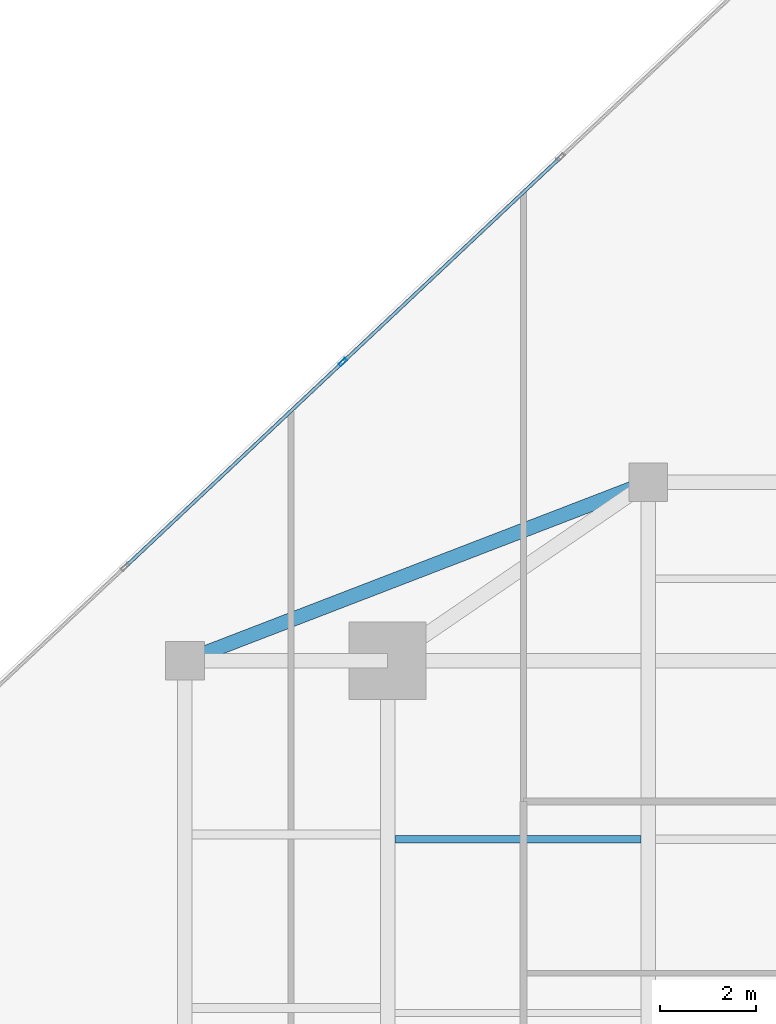
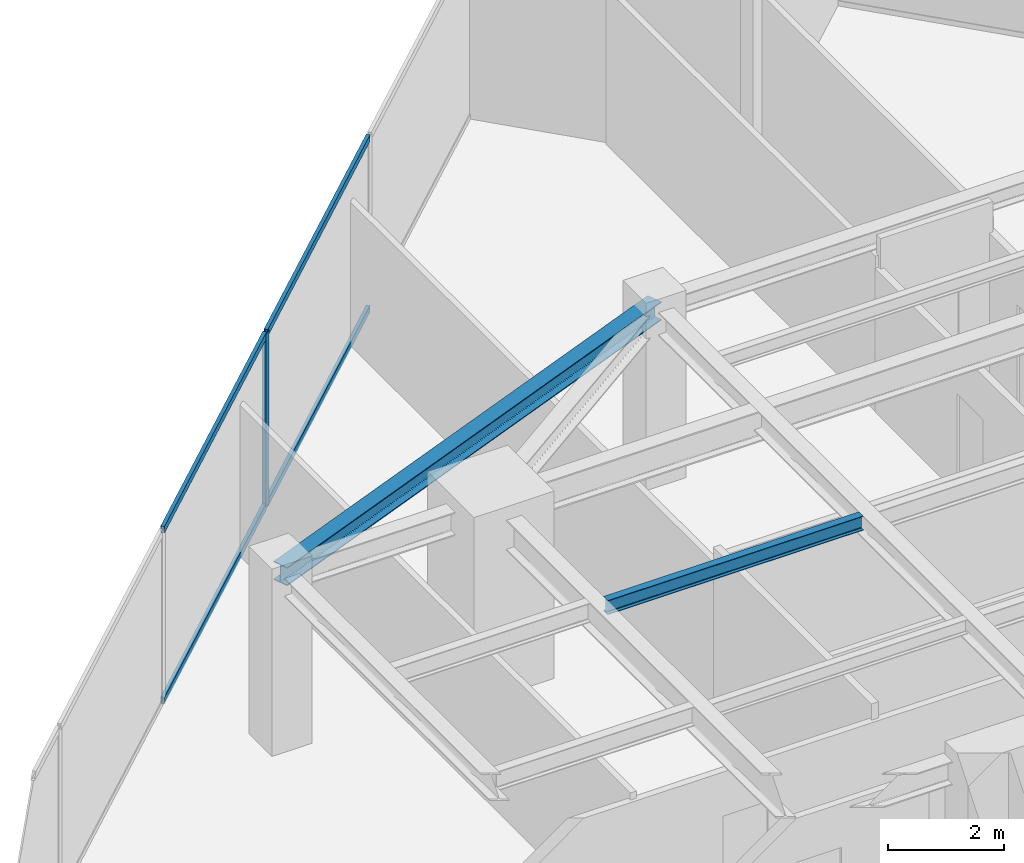
# One storey, part 14 of 24: 5 members, 2 beams, 1 element without a shape of its own.
"""IFC4 building model written with IfcOpenShell, lengths in metres."""

from ifc_helpers import new_model, si_unit, direction, frame, origin, origin_2d, place, context, subcontext, project, spatial, hollow_rectangle, i_section, extrude, source, transform, mapped, material, material_profile, profile_set, type_object, type_shapes, element, aggregate, save


model = new_model("IFC4")

# Units and contexts
model_context = context("Model", 3, precision=1e-05, world=origin(), true_north=direction((0.0, 1.0)))
body_context = subcontext(model_context, "Body", "Model", "MODEL_VIEW")
ifc_project = project(units=[si_unit("LENGTHUNIT", "METRE"), si_unit("AREAUNIT", "SQUARE_METRE"), si_unit("VOLUMEUNIT", "CUBIC_METRE"), si_unit("PLANEANGLEUNIT", "RADIAN"), si_unit("MASSUNIT", "GRAM", prefix="KILO")], contexts=[model_context])

# Site, building, storey
site_placement = place(None, origin())
site = spatial("IfcSite", under=ifc_project, at=site_placement, CompositionType="ELEMENT")
building_placement = place(site_placement, origin())
building = spatial("IfcBuilding", under=site, at=building_placement, Name="Krantzveldt Concourse Tower", CompositionType="ELEMENT")
storey_placement = place(building_placement, frame((0.0, 0.0, 242.85009765625)))
storey = spatial("IfcBuildingStorey", under=building, at=storey_placement, Name="L59", CompositionType="ELEMENT", Elevation=242.85009765625)

# Beams
ifc_material_1 = material(Name="Steel S355JR", Category="steel")
ifc_material_profile_1 = material_profile(ifc_material_1, i_section(OverallWidth=0.300048828125, OverallDepth=0.389892578125, WebThickness=0.010986328125, FlangeThickness=0.01904296875, FilletRadius=0.027099609375, at=origin_2d()), Name="Steel S355JR", Category="steel")
ifc_profile_set_1 = profile_set([ifc_material_profile_1], Name="Steel S355JR - HEA 400")
beam_type_1 = type_object("IfcBeamType", Name="BM-SP-HEA400", PredefinedType="SPANDREL", material=ifc_profile_set_1)
shared_shape_1 = source(origin(), body_context, "Body", "SweptSolid", [
    extrude(i_section(OverallWidth=0.300048828125, OverallDepth=0.389892578125, WebThickness=0.010986328125, FlangeThickness=0.01904296875, FilletRadius=0.027099609375, at=origin_2d()), origin(), (0.0, 0.0, 1.0), 10.288330078125),
])
type_shapes(beam_type_1, [shared_shape_1])
beam_1_placement = place(storey_placement, frame((21.0, 37.5, 3.474853515625), z_axis=(0.933097690408, 0.359622997257, 0.0), x_axis=(-0.359622997257, 0.933097690408, 0.0)))
element("IfcBeam", 1, at=beam_1_placement, inside=storey, type_object=beam_type_1, Name="L59 Tower Girder SP-R03", PredefinedType="SPANDREL", context=body_context, shape_type="MappedRepresentation", body=[
    mapped(shared_shape_1, transform((0.0, 0.0, 0.0), x_axis=(1.0, 0.0, 0.0), y_axis=(0.0, 1.0, 0.0), z_axis=(0.0, 0.0, 1.0), scale=1.0)),
])
ifc_material_profile_2 = material_profile(ifc_material_1, i_section(OverallWidth=0.14990234375, OverallDepth=0.300048828125, WebThickness=0.007080078125, FlangeThickness=0.0107421875, FilletRadius=0.014892578125, at=origin_2d()), Name="Steel S355JR", Category="steel")
ifc_profile_set_2 = profile_set([ifc_material_profile_2], Name="Steel S355JR - IPE 300")
beam_type_2 = type_object("IfcBeamType", Name="BM-J-IPE300", PredefinedType="JOIST", material=ifc_profile_set_2)
shared_shape_2 = source(origin(), body_context, "Body", "SweptSolid", [
    extrude(i_section(OverallWidth=0.14990234375, OverallDepth=0.300048828125, WebThickness=0.007080078125, FlangeThickness=0.0107421875, FilletRadius=0.014892578125, at=origin_2d()), origin(), (0.0, 0.0, 1.0), 5.099853515625),
])
type_shapes(beam_type_2, [shared_shape_2])
beam_2_placement = place(storey_placement, frame((25.35009765625, 33.800048828125, 3.52001953125), z_axis=(1.0, 0.0, 0.0), x_axis=(0.0, 1.0, 0.0)))
element("IfcBeam", 2, at=beam_2_placement, inside=storey, type_object=beam_type_2, Name="L59 Secondary Floor Joist JN-W2", PredefinedType="JOIST", context=body_context, shape_type="MappedRepresentation", body=[
    mapped(shared_shape_2, transform((0.0, 0.0, 0.0), x_axis=(1.0, 0.0, 0.0), y_axis=(0.0, 1.0, 0.0), z_axis=(0.0, 0.0, 1.0), scale=1.0)),
])

# Curtain wall, members
ifc_material_2 = material(Name="Anodised aluminium 6063-T6", Category="aluminium")
curtain_wall_type = type_object("IfcCurtainWallType", Name="CW3", PredefinedType="USERDEFINED", material=ifc_material_2)
curtain_wall_placement = place(storey_placement, origin())
curtain_wall = element("IfcCurtainWall", 3, at=curtain_wall_placement, inside=storey, type_object=curtain_wall_type, Name="CW-L59-F01", ObjectType="UNITISED CURTAIN WALL", PredefinedType="USERDEFINED")
ifc_material_profile_3 = material_profile(ifc_material_2, hollow_rectangle(XDim=0.070068359375, YDim=0.179931640625, WallThickness=0.0048828125, at=origin_2d()), Name="Anodised aluminium 6063-T6", Category="aluminium")
ifc_profile_set_3 = profile_set([ifc_material_profile_3], Name="Anodised aluminium 6063-T6 - ALU-MULL 180x70x5")
member_type_1 = type_object("IfcMemberType", Name="CW-MUL-180", PredefinedType="MULLION", material=ifc_profile_set_3)
shared_shape_3 = source(origin(), body_context, "Body", "SweptSolid", [
    extrude(hollow_rectangle(XDim=0.070068359375, YDim=0.179931640625, WallThickness=0.0048828125, at=origin_2d()), origin(), (0.0, 0.0, 1.0), 3.669921875),
])
type_shapes(member_type_1, [shared_shape_3])
member_1_placement = place(storey_placement, frame((24.2734375, 43.690185546875, 0.0), z_axis=(0.0, 0.0, 1.0), x_axis=(0.685182945184, -0.728371012348, 0.0)))
member_1 = element("IfcMember", 4, at=member_1_placement, type_object=member_type_1, Name="CW-Z34 mullion 3", PredefinedType="MULLION", context=body_context, shape_type="MappedRepresentation", body=[
    mapped(shared_shape_3, transform((0.0, 0.0, 0.0), x_axis=(1.0, 0.0, 0.0), y_axis=(0.0, 1.0, 0.0), z_axis=(0.0, 0.0, 1.0), scale=1.0)),
])
ifc_material_profile_4 = material_profile(ifc_material_2, hollow_rectangle(XDim=0.070068359375, YDim=0.139892578125, WallThickness=0.0048828125, at=origin_2d()), Name="Anodised aluminium 6063-T6", Category="aluminium")
ifc_profile_set_4 = profile_set([ifc_material_profile_4], Name="Anodised aluminium 6063-T6 - ALU-TRAN 140x70x5")
member_type_2 = type_object("IfcMemberType", Name="CW-TRN-150", PredefinedType="USERDEFINED", material=ifc_profile_set_4)
shared_shape_4 = source(origin(), body_context, "Body", "SweptSolid", [
    extrude(hollow_rectangle(XDim=0.070068359375, YDim=0.139892578125, WallThickness=0.0048828125, at=origin_2d()), origin(), (0.0, 0.0, 1.0), 6.1298828125),
])
type_shapes(member_type_2, [shared_shape_4])
member_2_placement = place(storey_placement, frame((28.763671875, 47.914306640625, 0.034912109375), z_axis=(-0.72836366623, -0.685190754255, 0.0), x_axis=(0.685190754255, -0.72836366623, 0.0)))
member_2 = element("IfcMember", 5, at=member_2_placement, type_object=member_type_2, Name="CW-Z34 transom 2.1", ObjectType="TRANSOM", PredefinedType="USERDEFINED", context=body_context, shape_type="MappedRepresentation", body=[
    mapped(shared_shape_4, transform((0.0, 0.0, 0.0), x_axis=(1.0, 0.0, 0.0), y_axis=(0.0, 1.0, 0.0), z_axis=(0.0, 0.0, 1.0), scale=1.0)),
])
member_3_placement = place(storey_placement, frame((28.763671875, 47.914306640625, 3.635009765625), z_axis=(-0.72836366623, -0.685190754255, 0.0), x_axis=(0.685190754255, -0.72836366623, 0.0)))
member_3 = element("IfcMember", 6, at=member_3_placement, type_object=member_type_2, Name="CW-Z34 transom 2.2", ObjectType="TRANSOM", PredefinedType="USERDEFINED", context=body_context, shape_type="MappedRepresentation", body=[
    mapped(shared_shape_4, transform((0.0, 0.0, 0.0), x_axis=(1.0, 0.0, 0.0), y_axis=(0.0, 1.0, 0.0), z_axis=(0.0, 0.0, 1.0), scale=1.0)),
])
member_4_placement = place(storey_placement, frame((24.247802734375, 43.666259765625, 0.034912109375), z_axis=(-0.72836366623, -0.685190754255, 0.0), x_axis=(0.685190754255, -0.72836366623, 0.0)))
member_4 = element("IfcMember", 7, at=member_4_placement, type_object=member_type_2, Name="CW-Z34 transom 3.1", ObjectType="TRANSOM", PredefinedType="USERDEFINED", context=body_context, shape_type="MappedRepresentation", body=[
    mapped(shared_shape_4, transform((0.0, 0.0, 0.0), x_axis=(1.0, 0.0, 0.0), y_axis=(0.0, 1.0, 0.0), z_axis=(0.0, 0.0, 1.0), scale=1.0)),
])
member_5_placement = place(storey_placement, frame((24.247802734375, 43.666259765625, 3.635009765625), z_axis=(-0.72836366623, -0.685190754255, 0.0), x_axis=(0.685190754255, -0.72836366623, 0.0)))
member_5 = element("IfcMember", 8, at=member_5_placement, type_object=member_type_2, Name="CW-Z34 transom 3.2", ObjectType="TRANSOM", PredefinedType="USERDEFINED", context=body_context, shape_type="MappedRepresentation", body=[
    mapped(shared_shape_4, transform((0.0, 0.0, 0.0), x_axis=(1.0, 0.0, 0.0), y_axis=(0.0, 1.0, 0.0), z_axis=(0.0, 0.0, 1.0), scale=1.0)),
])
aggregate(curtain_wall, [member_1, member_2, member_3, member_4, member_5])

save(model, "model.ifc")
